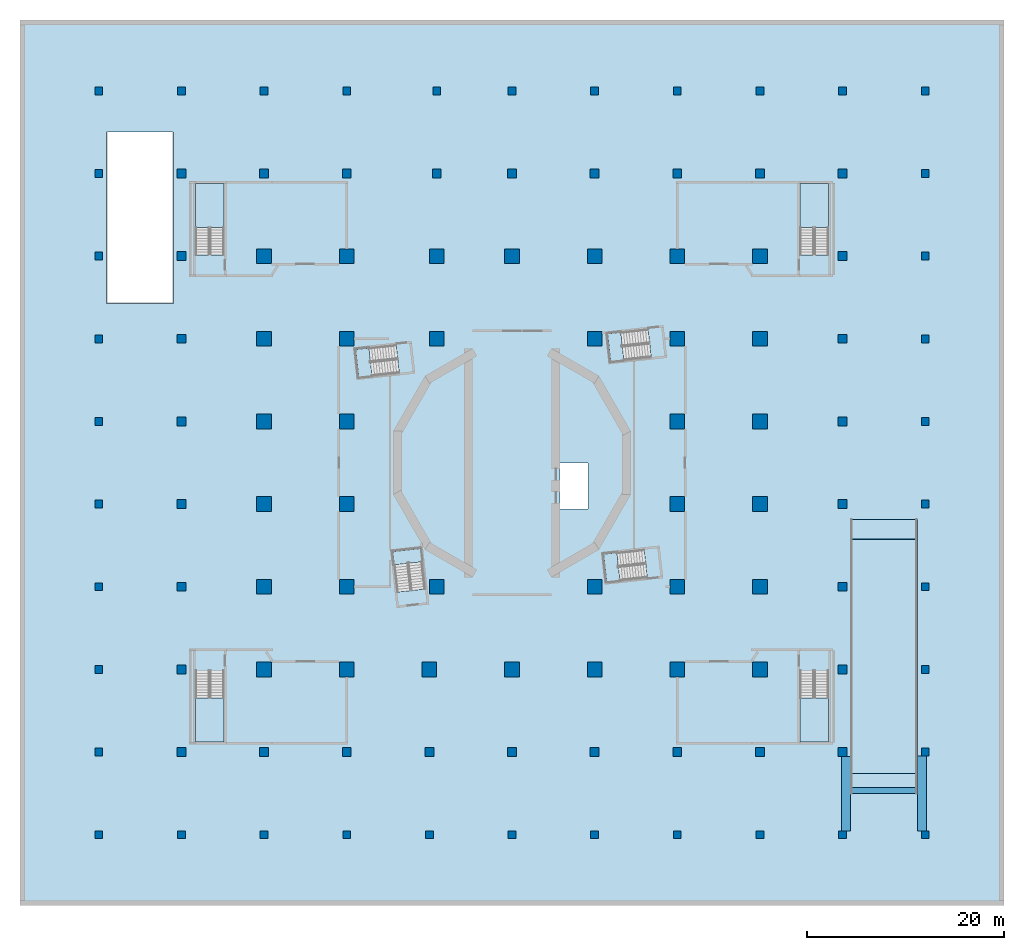
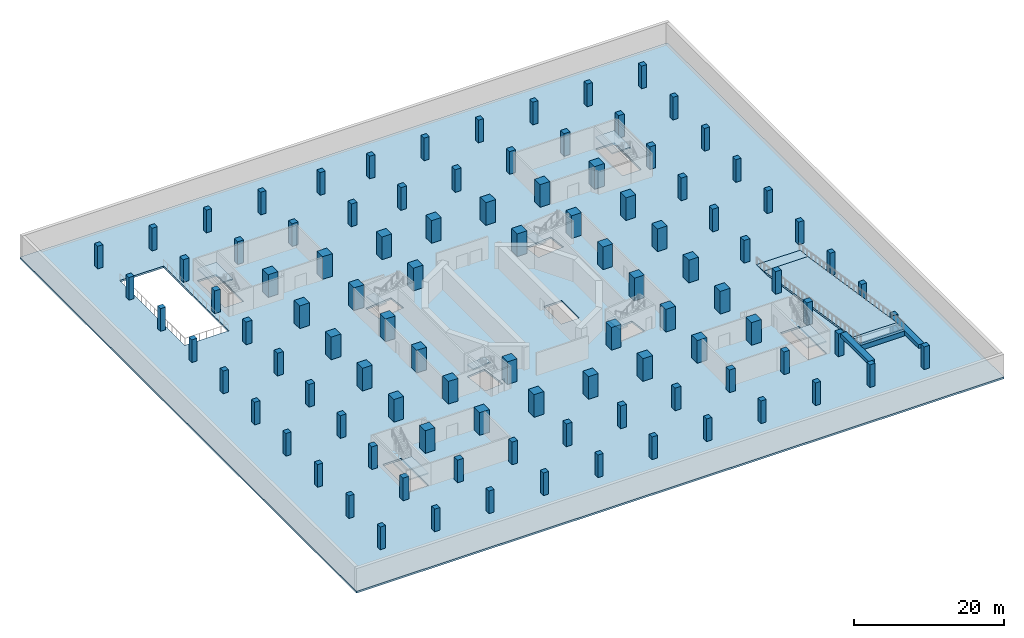
# One storey, part 1 of 18: 102 columns, 12 slabs, 3 beams, 8 elements without a shape of their own.
"""IFC4 building model written with IfcOpenShell, lengths in metres."""

import ifcopenshell
import ifcopenshell.guid

model = None  # the IFC model being written
_history = None  # IfcOwnerHistory: only IFC2X3 demands one
_inside = {}  # id of a spatial element -> (the spatial element, [elements in it])
_under = {}  # id of a project, library or spatial element -> (it, [spatial elements below it])
_declared = {}  # id of a project -> (the project, [libraries it declares])
_typed = {}  # id of a type object -> (the type object, [elements of that type])
_made_of = {}  # id of a material, layer set ... -> (it, [elements and type objects made of it])


def new_model(schema):
    """Start an empty IFC model of exactly this schema.

    Asked for "IFC4X3", IfcOpenShell would pick the latest addendum, in which some entities
    have other attributes; the version numbers below select the first issue.
    IFC2X3 requires an IfcOwnerHistory on every rooted entity: one is made here for all.
    """
    global model, _history
    if schema == "IFC4X3":
        model = ifcopenshell.file(schema_version=(4, 3, 0, 0))
    else:
        model = ifcopenshell.file(schema=schema)
    _inside.clear()
    _under.clear()
    _declared.clear()
    _typed.clear()
    _made_of.clear()
    _history = None
    if model.schema == "IFC2X3":
        org = make("IfcOrganization", Name="unknown")
        user = make(
            "IfcPersonAndOrganization",
            ThePerson=make("IfcPerson", FamilyName="unknown"),
            TheOrganization=org,
        )
        app = make(
            "IfcApplication",
            ApplicationDeveloper=org,
            Version="unknown",
            ApplicationFullName="unknown",
            ApplicationIdentifier="unknown",
        )
        _history = make(
            "IfcOwnerHistory",
            OwningUser=user,
            OwningApplication=app,
            ChangeAction="ADDED",
            CreationDate=0,
        )
    return model


def make(cls, **values):
    """One entity of the class cls with the attributes given. An attribute that is None is left unset."""
    return model.create_entity(
        cls, **{name: value for name, value in values.items() if value is not None}
    )


def rooted(cls, **values):
    """An entity with a GlobalId (a new one), such as an element, a storey or a relation."""
    return make(cls, GlobalId=ifcopenshell.guid.new(), OwnerHistory=_history, **values)


def si_unit(unit_type, name, prefix=None):
    """IfcSIUnit, for example si_unit("LENGTHUNIT", "METRE", prefix="MILLI")."""
    return make("IfcSIUnit", UnitType=unit_type, Prefix=prefix, Name=name)


def assignment(units):
    """IfcUnitAssignment: the units of a project."""
    return None if units is None else make("IfcUnitAssignment", Units=units)


def point(xyz):
    """IfcCartesianPoint."""
    return None if xyz is None else make("IfcCartesianPoint", Coordinates=xyz)


def direction(xyz):
    """IfcDirection."""
    return None if xyz is None else make("IfcDirection", DirectionRatios=xyz)


def frame(location, z_axis=None, x_axis=None):
    """IfcAxis2Placement3D, a coordinate frame: its origin and axes. An axis left out is left unset."""
    return make(
        "IfcAxis2Placement3D",
        Location=point(location),
        Axis=direction(z_axis),
        RefDirection=direction(x_axis),
    )


def frame_2d(location, x_axis=None):
    """IfcAxis2Placement2D, a coordinate frame in the plane: its origin and x axis."""
    return make(
        "IfcAxis2Placement2D", Location=point(location), RefDirection=direction(x_axis)
    )


def origin():
    """The frame at (0, 0, 0) with its axes left unset."""
    return frame((0.0, 0.0, 0.0))


def origin_2d():
    """The frame at (0, 0) in the plane with its x axis left unset."""
    return frame_2d((0.0, 0.0))


def place(relative_to, where):
    """IfcLocalPlacement: puts the frame where relative to a parent placement (None: the world)."""
    return make(
        "IfcLocalPlacement", PlacementRelTo=relative_to, RelativePlacement=where
    )


def context(
    kind, dimensions, precision=None, world=None, true_north=None, identifier=None
):
    """IfcGeometricRepresentationContext, for example the 3D "Model" context."""
    return make(
        "IfcGeometricRepresentationContext",
        ContextIdentifier=identifier,
        ContextType=kind,
        CoordinateSpaceDimension=dimensions,
        Precision=precision,
        WorldCoordinateSystem=world,
        TrueNorth=true_north,
    )


def subcontext(parent, identifier, kind, view, scale=None):
    """IfcGeometricRepresentationSubContext, for example "Body" below "Model"."""
    return make(
        "IfcGeometricRepresentationSubContext",
        ContextIdentifier=identifier,
        ContextType=kind,
        ParentContext=parent,
        TargetScale=scale,
        TargetView=view,
    )


def project(units=None, contexts=None):
    """IfcProject with its units and contexts."""
    return rooted(
        "IfcProject",
        Name="project",
        RepresentationContexts=contexts,
        UnitsInContext=assignment(units),
    )


def spatial(cls, under=None, at=None, **own):
    """A site, building, storey or space (cls), placed at a placement, below another one or the project."""
    s = rooted(cls, ObjectPlacement=at, **own)
    if under is not None:
        _under.setdefault(under.id(), (under, []))[1].append(s)
    return s


def polyline(points):
    """IfcPolyline through the points."""
    return make("IfcPolyline", Points=[point(p) for p in points])


def profile(cls, at=None, kind="AREA", **sizes):
    """A parametric profile (cls). Its sizes go by their IFC names, for example OverallWidth=200.0."""
    return make(cls, ProfileType=kind, Position=at, **sizes)


def rectangle(**sizes):
    """IfcRectangleProfileDef."""
    return profile("IfcRectangleProfileDef", **sizes)


def outline(outer, holes=None, kind="AREA"):
    """IfcArbitraryClosedProfileDef: a profile drawn as a closed curve; with holes, ...WithVoids."""
    if holes is None:
        return make("IfcArbitraryClosedProfileDef", ProfileType=kind, OuterCurve=outer)
    return make(
        "IfcArbitraryProfileDefWithVoids",
        ProfileType=kind,
        OuterCurve=outer,
        InnerCurves=holes,
    )


def extrude(swept, where, along, depth):
    """IfcExtrudedAreaSolid: the profile swept, set in the frame where, extruded along a direction by depth."""
    return make(
        "IfcExtrudedAreaSolid",
        SweptArea=swept,
        Position=where,
        ExtrudedDirection=direction(along),
        Depth=depth,
    )


def clip(a, b, op="DIFFERENCE"):
    """IfcBooleanClippingResult: the solid a cut by the half space b."""
    return make(
        "IfcBooleanClippingResult", Operator=op, FirstOperand=a, SecondOperand=b
    )


def halfspace(plane, agree):
    """IfcHalfSpaceSolid: all space on one side of the plane z = 0 of the frame plane."""
    return make(
        "IfcHalfSpaceSolid",
        BaseSurface=make("IfcPlane", Position=plane),
        AgreementFlag=agree,
    )


def shape(context_of_items, identifier, shape_type, items):
    """IfcShapeRepresentation: the items that make up one representation, for example the "Body"."""
    return make(
        "IfcShapeRepresentation",
        ContextOfItems=context_of_items,
        RepresentationIdentifier=identifier,
        RepresentationType=shape_type,
        Items=items,
    )


def material(Name=None, Category=None):
    """IfcMaterial."""
    return make("IfcMaterial", Name=Name, Category=Category)


def layer(
    of_material, thickness, ventilated=None, Name=None, Category=None, Priority=None
):
    """IfcMaterialLayer: one layer of a wall or slab, of a material (None: an air gap)."""
    return make(
        "IfcMaterialLayer",
        Material=of_material,
        LayerThickness=thickness,
        IsVentilated=ventilated,
        Name=Name,
        Category=Category,
        Priority=Priority,
    )


def layer_set(layers, Name=None):
    """IfcMaterialLayerSet."""
    return make("IfcMaterialLayerSet", MaterialLayers=layers, LayerSetName=Name)


def material_profile(
    of_material, cross_section, Name=None, Category=None, Priority=None
):
    """IfcMaterialProfile: a cross section and its material."""
    return make(
        "IfcMaterialProfile",
        Name=Name,
        Material=of_material,
        Profile=cross_section,
        Priority=Priority,
        Category=Category,
    )


def profile_set(profiles, Name=None, composite=None):
    """IfcMaterialProfileSet."""
    return make(
        "IfcMaterialProfileSet",
        Name=Name,
        MaterialProfiles=profiles,
        CompositeProfile=composite,
    )


def made_of(thing, what):
    """Note that an element or type object is made of a material, layer set ...; save() writes the relation."""
    if what is not None:
        _made_of.setdefault(what.id(), (what, []))[1].append(thing)
    return thing


def type_object(cls, material=None, **own):
    """A type object (cls), such as IfcWallType, which elements share."""
    return made_of(rooted(cls, **own), material)


def element(
    cls,
    number,
    at=None,
    inside=None,
    cuts=None,
    type_object=None,
    material=None,
    context=None,
    identifier="Body",
    shape_type=None,
    held_by="IfcProductDefinitionShape",
    body=None,
    shapes=None,
    **own,
):
    """One element of the class cls, such as IfcWall. Its Tag is "e" and its number.

    at: its placement. inside: the storey or other place that contains it. cuts: it is an
    opening in that element (IfcRelVoidsElement). A single representation is given by context,
    identifier, shape_type and body (its items); several are given by shapes. held_by: the class
    of the entity that holds the representations. save() writes the other relations.
    """
    e = rooted(cls, Tag="e%d" % number, ObjectPlacement=at, **own)
    if body is not None:
        shapes = [shape(context, identifier, shape_type, body)]
    if shapes is not None:
        e.Representation = make(held_by, Representations=shapes)
    if inside is not None:
        _inside.setdefault(inside.id(), (inside, []))[1].append(e)
    if cuts is not None:
        rooted(
            "IfcRelVoidsElement", RelatingBuildingElement=cuts, RelatedOpeningElement=e
        )
    if type_object is not None:
        _typed.setdefault(type_object.id(), (type_object, []))[1].append(e)
    return made_of(e, material)


def aggregate(whole, parts):
    """IfcRelAggregates: a whole, such as a stair, and the parts it consists of."""
    return rooted("IfcRelAggregates", RelatingObject=whole, RelatedObjects=parts)


def save(model, path):
    """Write the relations noted so far, then the file.

    IfcRelAggregates (storeys below a building ...), IfcRelContainedInSpatialStructure (elements
    in a storey), IfcRelDefinesByType, IfcRelAssociatesMaterial and IfcRelDeclares: one each for
    every whole, place, type object, material and project.
    """
    for whole, parts in _under.values():
        aggregate(whole, parts)
    for where, things in _inside.values():
        rooted(
            "IfcRelContainedInSpatialStructure",
            RelatedElements=things,
            RelatingStructure=where,
        )
    for kind, things in _typed.values():
        rooted("IfcRelDefinesByType", RelatedObjects=things, RelatingType=kind)
    for what, things in _made_of.values():
        rooted("IfcRelAssociatesMaterial", RelatedObjects=things, RelatingMaterial=what)
    for by, libraries in _declared.values():
        rooted("IfcRelDeclares", RelatingContext=by, RelatedDefinitions=libraries)
    model.write(path)


model = new_model("IFC4")

# Units and contexts
model_context = context("Model", 3, precision=1e-05, world=origin(), true_north=direction((0.0, 1.0)))
body_context = subcontext(model_context, "Body", "Model", "MODEL_VIEW")
ifc_project = project(units=[si_unit("LENGTHUNIT", "METRE"), si_unit("AREAUNIT", "SQUARE_METRE"), si_unit("VOLUMEUNIT", "CUBIC_METRE"), si_unit("PLANEANGLEUNIT", "RADIAN"), si_unit("MASSUNIT", "GRAM", prefix="KILO")], contexts=[model_context])

# Site, building, storey
site_placement = place(None, origin())
site = spatial("IfcSite", under=ifc_project, at=site_placement, CompositionType="ELEMENT")
building_placement = place(site_placement, origin())
building = spatial("IfcBuilding", under=site, at=building_placement, Name="Cantera Rosa Tower", CompositionType="ELEMENT")
storey_placement = place(building_placement, frame((0.0, 0.0, -9.0)))
storey = spatial("IfcBuildingStorey", under=building, at=storey_placement, Name="B2", CompositionType="ELEMENT", Elevation=-9.0)

# Columns
ifc_material_1 = material(Name="Concrete C60/75", Category="concrete")
ifc_material_profile_1 = material_profile(ifc_material_1, rectangle(XDim=1.5, YDim=1.5, at=origin_2d()), Name="Column 1500x1500")
ifc_profile_set_1 = profile_set([ifc_material_profile_1], Name="Concrete C60/75")
column_type_1 = type_object("IfcColumnType", Name="Column 1500x1500", PredefinedType="COLUMN", material=ifc_profile_set_1)
for number, where, z_axis, x_axis, name in (
    (1, (-25.199951171875, -21.0, 0.0), (0.0, 0.0, 1.0), (1.0, 0.0, 0.0), "Column C-P-2B"),
    (2, (-25.199951171875, -12.60009765625, 0.0), (0.0, 0.0, 1.0), (1.0, 0.0, 0.0), "Column C-P-2C"),
    (3, (-25.199951171875, -4.199951171875, 0.0), (0.0, 0.0, 1.0), (1.0, 0.0, 0.0), "Column C-P-2D"),
    (4, (-25.199951171875, 4.199951171875, 0.0), (0.0, 0.0, 1.0), (1.0, 0.0, 0.0), "Column C-P-2E"),
    (5, (-25.199951171875, 12.60009765625, 0.0), (0.0, 0.0, 1.0), (1.0, 0.0, 0.0), "Column C-P-2F"),
    (6, (-25.199951171875, 21.0, 0.0), (0.0, 0.0, 1.0), (1.0, 0.0, 0.0), "Column C-P-2G"),
    (7, (-16.800048828125, -21.0, 0.0), (0.0, 0.0, 1.0), (1.0, 0.0, 0.0), "Column C-P-3B"),
    (8, (-16.800048828125, -12.60009765625, 0.0), (0.0, 0.0, 1.0), (1.0, 0.0, 0.0), "Column C-P-3C"),
    (9, (-16.800048828125, -4.199951171875, 0.0), (0.0, 0.0, 1.0), (1.0, 0.0, 0.0), "Column C-P-3D"),
    (10, (-16.800048828125, 4.199951171875, 0.0), (0.0, 0.0, 1.0), (1.0, 0.0, 0.0), "Column C-P-3E"),
    (11, (-16.800048828125, 12.60009765625, 0.0), (0.0, 0.0, 1.0), (1.0, 0.0, 0.0), "Column C-P-3F"),
    (12, (-16.800048828125, 21.0, 0.0), (0.0, 0.0, 1.0), (1.0, 0.0, 0.0), "Column C-P-3G"),
    (13, (-8.39990234375, -21.0, 0.0), (0.0, 0.0, 1.0), (1.0, 0.0, 0.0), "Column C-P-4B"),
    (14, (-7.64990234375, -12.60009765625, 0.0), (0.0, 0.0, 1.0), (1.0, 0.0, 0.0), "Column C-P-4C"),
    (15, (-7.64990234375, 12.60009765625, 0.0), (0.0, 0.0, 1.0), (1.0, 0.0, 0.0), "Column C-B-4N2"),
    (16, (-7.64990234375, 21.0, 0.0), (0.0, 0.0, 1.0), (1.0, 0.0, 0.0), "Column C-B-4N3"),
    (17, (0.0, -21.0, 0.0), (0.0, 0.0, 1.0), (1.0, 0.0, 0.0), "Column C-P-5B"),
    (18, (0.0, 21.0, 0.0), (0.0, 0.0, 1.0), (1.0, 0.0, 0.0), "Column C-P-5G"),
    (19, (8.39990234375, -21.0, 0.0), (0.0, 0.0, 1.0), (1.0, 0.0, 0.0), "Column C-P-6B"),
    (20, (8.39990234375, -12.60009765625, 0.0), (0.0, 0.0, 1.0), (1.0, 0.0, 0.0), "Column C-P-6C"),
    (21, (8.39990234375, 12.60009765625, 0.0), (0.0, 0.0, 1.0), (1.0, 0.0, 0.0), "Column C-P-6F"),
    (22, (8.39990234375, 21.0, 0.0), (0.0, 0.0, 1.0), (1.0, 0.0, 0.0), "Column C-P-6G"),
    (23, (16.800048828125, -21.0, 0.0), (0.0, 0.0, 1.0), (1.0, 0.0, 0.0), "Column C-P-7B"),
    (24, (16.800048828125, -12.60009765625, 0.0), (0.0, 0.0, 1.0), (1.0, 0.0, 0.0), "Column C-P-7C"),
    (25, (16.800048828125, -4.199951171875, 0.0), (0.0, 0.0, 1.0), (1.0, 0.0, 0.0), "Column C-P-7D"),
    (26, (16.800048828125, 4.199951171875, 0.0), (0.0, 0.0, 1.0), (1.0, 0.0, 0.0), "Column C-P-7E"),
    (27, (16.800048828125, 12.60009765625, 0.0), (0.0, 0.0, 1.0), (1.0, 0.0, 0.0), "Column C-P-7F"),
    (28, (16.800048828125, 21.0, 0.0), (0.0, 0.0, 1.0), (1.0, 0.0, 0.0), "Column C-P-7G"),
    (29, (25.199951171875, -21.0, 0.0), (0.0, 0.0, 1.0), (1.0, 0.0, 0.0), "Column C-P-8B"),
    (30, (25.199951171875, -12.60009765625, 0.0), (0.0, 0.0, 1.0), (1.0, 0.0, 0.0), "Column C-P-8C"),
    (31, (25.199951171875, -4.199951171875, 0.0), (0.0, 0.0, 1.0), (1.0, 0.0, 0.0), "Column C-P-8D"),
    (32, (25.199951171875, 4.199951171875, 0.0), (0.0, 0.0, 1.0), (1.0, 0.0, 0.0), "Column C-P-8E"),
    (33, (25.199951171875, 12.60009765625, 0.0), (0.0, 0.0, 1.0), (1.0, 0.0, 0.0), "Column C-P-8F"),
    (34, (25.199951171875, 21.0, 0.0), (0.0, 0.0, 1.0), (1.0, 0.0, 0.0), "Column C-P-8G"),
):
    element("IfcColumn", number, at=place(storey_placement, frame(where, z_axis=z_axis, x_axis=x_axis)), inside=storey, type_object=column_type_1, Name=name, PredefinedType="COLUMN", context=body_context, shape_type="SweptSolid", body=[
        extrude(rectangle(XDim=1.5, YDim=1.5, at=origin_2d()), origin(), (0.0, 0.0, 1.0), 3.699951171875),
    ])
ifc_material_2 = material(Name="Concrete C60/75", Category="concrete")
ifc_material_profile_2 = material_profile(ifc_material_2, rectangle(XDim=0.800048828125, YDim=0.800048828125, at=origin_2d()), Name="Column 800x800")
ifc_profile_set_2 = profile_set([ifc_material_profile_2], Name="Concrete C60/75")
column_type_2 = type_object("IfcColumnType", Name="Column 800x800", PredefinedType="COLUMN", material=ifc_profile_set_2)
for number, where, z_axis, x_axis, name in (
    (35, (-42.0, -37.800048828125, 0.0), (0.0, 0.0, 1.0), (1.0, 0.0, 0.0), "Column C-B-0S5"),
    (36, (-42.0, -29.39990234375, 0.0), (0.0, 0.0, 1.0), (1.0, 0.0, 0.0), "Column C-B-0S4"),
    (37, (-42.0, -21.0, 0.0), (0.0, 0.0, 1.0), (1.0, 0.0, 0.0), "Column C-B-0S3"),
    (38, (-42.0, -12.60009765625, 0.0), (0.0, 0.0, 1.0), (1.0, 0.0, 0.0), "Column C-B-0S2"),
    (39, (-42.0, -4.199951171875, 0.0), (0.0, 0.0, 1.0), (1.0, 0.0, 0.0), "Column C-B-0S1"),
    (40, (-42.0, 4.199951171875, 0.0), (0.0, 0.0, 1.0), (1.0, 0.0, 0.0), "Column C-B-0N1"),
    (41, (-42.0, 12.60009765625, 0.0), (0.0, 0.0, 1.0), (1.0, 0.0, 0.0), "Column C-B-0N2"),
    (42, (-42.0, 21.0, 0.0), (0.0, 0.0, 1.0), (1.0, 0.0, 0.0), "Column C-B-0N3"),
    (43, (-42.0, 29.39990234375, 0.0), (0.0, 0.0, 1.0), (1.0, 0.0, 0.0), "Column C-B-0N4"),
    (44, (-42.0, 37.800048828125, 0.0), (0.0, 0.0, 1.0), (1.0, 0.0, 0.0), "Column C-B-0N5"),
    (45, (-33.60009765625, -37.800048828125, 0.0), (0.0, 0.0, 1.0), (1.0, 0.0, 0.0), "Column C-B-1S5"),
    (46, (-33.60009765625, 37.800048828125, 0.0), (0.0, 0.0, 1.0), (1.0, 0.0, 0.0), "Column C-B-1N5"),
    (47, (-25.199951171875, -37.800048828125, 0.0), (0.0, 0.0, 1.0), (1.0, 0.0, 0.0), "Column C-B-2S5"),
    (48, (-25.199951171875, 37.800048828125, 0.0), (0.0, 0.0, 1.0), (1.0, 0.0, 0.0), "Column C-B-2N5"),
    (49, (-16.800048828125, -37.800048828125, 0.0), (0.0, 0.0, 1.0), (1.0, 0.0, 0.0), "Column C-B-3S5"),
    (50, (-16.800048828125, 37.800048828125, 0.0), (0.0, 0.0, 1.0), (1.0, 0.0, 0.0), "Column C-B-3N5"),
    (51, (-8.39990234375, -37.800048828125, 0.0), (0.0, 0.0, 1.0), (1.0, 0.0, 0.0), "Column C-B-4S5"),
    (52, (-7.64990234375, 37.800048828125, 0.0), (0.0, 0.0, 1.0), (1.0, 0.0, 0.0), "Column C-B-4N5"),
    (53, (0.0, -37.800048828125, 0.0), (0.0, 0.0, 1.0), (1.0, 0.0, 0.0), "Column C-B-5S5"),
    (54, (0.0, 37.800048828125, 0.0), (0.0, 0.0, 1.0), (1.0, 0.0, 0.0), "Column C-B-5N5"),
    (55, (8.39990234375, -37.800048828125, 0.0), (0.0, 0.0, 1.0), (1.0, 0.0, 0.0), "Column C-B-6S5"),
    (56, (8.39990234375, 37.800048828125, 0.0), (0.0, 0.0, 1.0), (1.0, 0.0, 0.0), "Column C-B-6N5"),
    (57, (16.800048828125, -37.800048828125, 0.0), (0.0, 0.0, 1.0), (1.0, 0.0, 0.0), "Column C-B-7S5"),
    (58, (16.800048828125, 37.800048828125, 0.0), (0.0, 0.0, 1.0), (1.0, 0.0, 0.0), "Column C-B-7N5"),
    (59, (25.199951171875, -37.800048828125, 0.0), (0.0, 0.0, 1.0), (1.0, 0.0, 0.0), "Column C-B-8S5"),
    (60, (25.199951171875, 37.800048828125, 0.0), (0.0, 0.0, 1.0), (1.0, 0.0, 0.0), "Column C-B-8N5"),
    (61, (33.60009765625, -37.800048828125, 0.0), (0.0, 0.0, 1.0), (1.0, 0.0, 0.0), "Column C-B-9S5"),
    (62, (33.60009765625, 37.800048828125, 0.0), (0.0, 0.0, 1.0), (1.0, 0.0, 0.0), "Column C-B-9N5"),
    (63, (42.0, -37.800048828125, 0.0), (0.0, 0.0, 1.0), (1.0, 0.0, 0.0), "Column C-B-10S5"),
    (64, (42.0, -29.39990234375, 0.0), (0.0, 0.0, 1.0), (1.0, 0.0, 0.0), "Column C-B-10S4"),
    (65, (42.0, -21.0, 0.0), (0.0, 0.0, 1.0), (1.0, 0.0, 0.0), "Column C-B-10S3"),
    (66, (42.0, -12.60009765625, 0.0), (0.0, 0.0, 1.0), (1.0, 0.0, 0.0), "Column C-B-10S2"),
    (67, (42.0, -4.199951171875, 0.0), (0.0, 0.0, 1.0), (1.0, 0.0, 0.0), "Column C-B-10S1"),
    (68, (42.0, 4.199951171875, 0.0), (0.0, 0.0, 1.0), (1.0, 0.0, 0.0), "Column C-B-10N1"),
    (69, (42.0, 12.60009765625, 0.0), (0.0, 0.0, 1.0), (1.0, 0.0, 0.0), "Column C-B-10N2"),
    (70, (42.0, 21.0, 0.0), (0.0, 0.0, 1.0), (1.0, 0.0, 0.0), "Column C-B-10N3"),
    (71, (42.0, 29.39990234375, 0.0), (0.0, 0.0, 1.0), (1.0, 0.0, 0.0), "Column C-B-10N4"),
    (72, (42.0, 37.800048828125, 0.0), (0.0, 0.0, 1.0), (1.0, 0.0, 0.0), "Column C-B-10N5"),
):
    element("IfcColumn", number, at=place(storey_placement, frame(where, z_axis=z_axis, x_axis=x_axis)), inside=storey, type_object=column_type_2, Name=name, PredefinedType="COLUMN", context=body_context, shape_type="SweptSolid", body=[
        extrude(rectangle(XDim=0.800048828125, YDim=0.800048828125, at=origin_2d()), origin(), (0.0, 0.0, 1.0), 3.699951171875),
    ])
ifc_material_3 = material(Name="Concrete C60/75", Category="concrete")
ifc_material_profile_3 = material_profile(ifc_material_3, rectangle(XDim=0.89990234375, YDim=0.89990234375, at=origin_2d()), Name="Column 900x900")
ifc_profile_set_3 = profile_set([ifc_material_profile_3], Name="Concrete C60/75")
column_type_3 = type_object("IfcColumnType", Name="Column 900x900", PredefinedType="COLUMN", material=ifc_profile_set_3)
for number, where, z_axis, x_axis, name in (
    (73, (-33.60009765625, -29.39990234375, 0.0), (0.0, 0.0, 1.0), (1.0, 0.0, 0.0), "Column C-P-1A"),
    (74, (-33.60009765625, -21.0, 0.0), (0.0, 0.0, 1.0), (1.0, 0.0, 0.0), "Column C-P-1B"),
    (75, (-33.60009765625, -12.60009765625, 0.0), (0.0, 0.0, 1.0), (1.0, 0.0, 0.0), "Column C-P-1C"),
    (76, (-33.60009765625, -4.199951171875, 0.0), (0.0, 0.0, 1.0), (1.0, 0.0, 0.0), "Column C-P-1D"),
    (77, (-33.60009765625, 4.199951171875, 0.0), (0.0, 0.0, 1.0), (1.0, 0.0, 0.0), "Column C-P-1E"),
    (78, (-33.60009765625, 12.60009765625, 0.0), (0.0, 0.0, 1.0), (1.0, 0.0, 0.0), "Column C-P-1F"),
    (79, (-33.60009765625, 21.0, 0.0), (0.0, 0.0, 1.0), (1.0, 0.0, 0.0), "Column C-P-1G"),
    (80, (-33.60009765625, 29.39990234375, 0.0), (0.0, 0.0, 1.0), (1.0, 0.0, 0.0), "Column C-P-1H"),
    (81, (-25.199951171875, -29.39990234375, 0.0), (0.0, 0.0, 1.0), (1.0, 0.0, 0.0), "Column C-P-2A"),
    (82, (-25.199951171875, 29.39990234375, 0.0), (0.0, 0.0, 1.0), (1.0, 0.0, 0.0), "Column C-P-2H"),
    (83, (-16.800048828125, -29.39990234375, 0.0), (0.0, 0.0, 1.0), (1.0, 0.0, 0.0), "Column C-P-3A"),
    (84, (-16.800048828125, 29.39990234375, 0.0), (0.0, 0.0, 1.0), (1.0, 0.0, 0.0), "Column C-P-3H"),
    (85, (-8.39990234375, -29.39990234375, 0.0), (0.0, 0.0, 1.0), (1.0, 0.0, 0.0), "Column C-P-4A"),
    (86, (-7.64990234375, 29.39990234375, 0.0), (0.0, 0.0, 1.0), (1.0, 0.0, 0.0), "Column C-B-4N4"),
    (87, (0.0, -29.39990234375, 0.0), (0.0, 0.0, 1.0), (1.0, 0.0, 0.0), "Column C-P-5A"),
    (88, (0.0, 29.39990234375, 0.0), (0.0, 0.0, 1.0), (1.0, 0.0, 0.0), "Column C-P-5H"),
    (89, (8.39990234375, -29.39990234375, 0.0), (0.0, 0.0, 1.0), (1.0, 0.0, 0.0), "Column C-P-6A"),
    (90, (8.39990234375, 29.39990234375, 0.0), (0.0, 0.0, 1.0), (1.0, 0.0, 0.0), "Column C-P-6H"),
    (91, (16.800048828125, -29.39990234375, 0.0), (0.0, 0.0, 1.0), (1.0, 0.0, 0.0), "Column C-P-7A"),
    (92, (16.800048828125, 29.39990234375, 0.0), (0.0, 0.0, 1.0), (1.0, 0.0, 0.0), "Column C-P-7H"),
    (93, (25.199951171875, -29.39990234375, 0.0), (0.0, 0.0, 1.0), (1.0, 0.0, 0.0), "Column C-P-8A"),
    (94, (25.199951171875, 29.39990234375, 0.0), (0.0, 0.0, 1.0), (1.0, 0.0, 0.0), "Column C-P-8H"),
    (95, (33.60009765625, -29.39990234375, 0.0), (0.0, 0.0, 1.0), (1.0, 0.0, 0.0), "Column C-P-9A"),
    (96, (33.60009765625, -21.0, 0.0), (0.0, 0.0, 1.0), (1.0, 0.0, 0.0), "Column C-P-9B"),
    (97, (33.60009765625, -12.60009765625, 0.0), (0.0, 0.0, 1.0), (1.0, 0.0, 0.0), "Column C-P-9C"),
    (98, (33.60009765625, -4.199951171875, 0.0), (0.0, 0.0, 1.0), (1.0, 0.0, 0.0), "Column C-P-9D"),
    (99, (33.60009765625, 4.199951171875, 0.0), (0.0, 0.0, 1.0), (1.0, 0.0, 0.0), "Column C-P-9E"),
    (100, (33.60009765625, 12.60009765625, 0.0), (0.0, 0.0, 1.0), (1.0, 0.0, 0.0), "Column C-P-9F"),
    (101, (33.60009765625, 21.0, 0.0), (0.0, 0.0, 1.0), (1.0, 0.0, 0.0), "Column C-P-9G"),
    (102, (33.60009765625, 29.39990234375, 0.0), (0.0, 0.0, 1.0), (1.0, 0.0, 0.0), "Column C-P-9H"),
):
    element("IfcColumn", number, at=place(storey_placement, frame(where, z_axis=z_axis, x_axis=x_axis)), inside=storey, type_object=column_type_3, Name=name, PredefinedType="COLUMN", context=body_context, shape_type="SweptSolid", body=[
        extrude(rectangle(XDim=0.89990234375, YDim=0.89990234375, at=origin_2d()), origin(), (0.0, 0.0, 1.0), 3.699951171875),
    ])

# Beams
ifc_material_4 = material(Name="Concrete C35/45", Category="concrete")
ifc_material_profile_4 = material_profile(ifc_material_4, rectangle(XDim=0.60009765625, YDim=0.800048828125, at=origin_2d()), Name="RC cross beam 600x800")
ifc_profile_set_4 = profile_set([ifc_material_profile_4], Name="Concrete C35/45")
beam_type_1 = type_object("IfcBeamType", Name="RC cross beam 600x800", PredefinedType="BEAM", material=ifc_profile_set_4)
beam_1_placement = place(storey_placement, frame((34.39990234375, -33.300048828125, 3.248779296875), z_axis=(1.0, 0.0, 0.0), x_axis=(0.0, 1.0, 0.0)))
element("IfcBeam", 103, at=beam_1_placement, inside=storey, type_object=beam_type_1, Name="Ramp cross beam RX2", PredefinedType="BEAM", context=body_context, shape_type="SweptSolid", body=[
    extrude(rectangle(XDim=0.60009765625, YDim=0.800048828125, at=origin_2d()), origin(), (0.0, 0.0, 1.0), 6.800048828125),
])
ifc_material_5 = material(Name="Concrete C35/45", Category="concrete")
ifc_material_profile_5 = material_profile(ifc_material_5, rectangle(XDim=0.89990234375, YDim=0.60009765625, at=origin_2d()), Name="RC edge beam 900x600")
ifc_profile_set_5 = profile_set([ifc_material_profile_5], Name="Concrete C35/45")
beam_type_2 = type_object("IfcBeamType", Name="RC edge beam 900x600", PredefinedType="BEAM", material=ifc_profile_set_5)
beam_2_placement = place(storey_placement, frame((33.949951171875, -37.39990234375, 3.39990234375), z_axis=(0.0, 1.0, 0.0), x_axis=(-1.0, 0.0, 0.0)))
element("IfcBeam", 104, at=beam_2_placement, inside=storey, type_object=beam_type_2, Name="Ramp edge beam RE2-W", PredefinedType="BEAM", context=body_context, shape_type="SweptSolid", body=[
    extrude(rectangle(XDim=0.89990234375, YDim=0.60009765625, at=origin_2d()), origin(), (0.0, 0.0, 1.0), 7.5498046875),
])
beam_3_placement = place(storey_placement, frame((41.64990234375, -37.39990234375, 3.39990234375), z_axis=(0.0, 1.0, 0.0), x_axis=(-1.0, 0.0, 0.0)))
element("IfcBeam", 105, at=beam_3_placement, inside=storey, type_object=beam_type_2, Name="Ramp edge beam RE2-E", PredefinedType="BEAM", context=body_context, shape_type="SweptSolid", body=[
    extrude(rectangle(XDim=0.89990234375, YDim=0.60009765625, at=origin_2d()), origin(), (0.0, 0.0, 1.0), 7.599853515625),
])

# Slabs
ifc_material_6 = material(Name="Concrete C35/45", Category="concrete")
ifc_layer_1 = layer(ifc_material_6, 0.300048828125)
ifc_layer_set_1 = layer_set([ifc_layer_1], Name="Flat slab 300")
slab_type_1 = type_object("IfcSlabType", Name="Flat slab 300", PredefinedType="FLOOR", material=ifc_layer_set_1)
slab_1_placement = place(storey_placement, frame((0.0, 0.0, -0.300048828125)))
element("IfcSlab", 106, at=slab_1_placement, inside=storey, type_object=slab_type_1, Name="Floor slab B2", PredefinedType="FLOOR", context=body_context, shape_type="SweptSolid", body=[
    extrude(outline(polyline([(-50.0, -45.0), (50.0, -45.0), (50.0, 45.0), (-50.0, 45.0), (-50.0, -45.0)]), holes=[polyline([(29.27490234375, -28.375), (32.175048828125, -28.375), (32.175048828125, -21.136962890625), (29.27490234375, -21.136962890625), (29.27490234375, -28.375)]), polyline([(32.175048828125, 28.375), (29.27490234375, 28.375), (29.27490234375, 21.136962890625), (32.175048828125, 21.136962890625), (32.175048828125, 28.375)]), polyline([(9.709716796875, 13.11279296875), (10.02392578125, 10.2802734375), (14.13671875, 10.73681640625), (13.822265625, 13.5693359375), (9.709716796875, 13.11279296875)]), polyline([(9.3095703125, -9.287109375), (9.6240234375, -12.11962890625), (13.73681640625, -11.6630859375), (13.42236328125, -8.83056640625), (9.3095703125, -9.287109375)]), polyline([(4.89990234375, -4.699951171875), (7.699951171875, -4.699951171875), (7.699951171875, 0.0), (4.89990234375, 0.0), (4.89990234375, -4.699951171875)]), polyline([(-12.11962890625, -9.02392578125), (-11.6630859375, -13.13671875), (-8.83056640625, -12.822265625), (-9.287109375, -8.709716796875), (-12.11962890625, -9.02392578125)]), polyline([(-15.890380859375, 11.512939453125), (-15.575927734375, 8.680419921875), (-11.46337890625, 9.13671875), (-11.777587890625, 11.969482421875), (-15.890380859375, 11.512939453125)]), polyline([(-29.27490234375, -28.375), (-29.27490234375, -21.136962890625), (-32.175048828125, -21.136962890625), (-32.175048828125, -28.375), (-29.27490234375, -28.375)]), polyline([(-29.27490234375, 28.375), (-32.175048828125, 28.375), (-32.175048828125, 21.136962890625), (-29.27490234375, 21.136962890625), (-29.27490234375, 28.375)]), polyline([(-41.199951171875, 33.60009765625), (-41.199951171875, 16.166748046875), (-34.39990234375, 16.166748046875), (-34.39990234375, 33.60009765625), (-41.199951171875, 33.60009765625)])]), origin(), (0.0, 0.0, 1.0), 0.300048828125),
])
ifc_material_7 = material(Name="Concrete C35/45", Category="concrete")
ifc_layer_2 = layer(ifc_material_7, 0.300048828125)
ifc_layer_set_2 = layer_set([ifc_layer_2], Name="RC ramp slab 300 C35/45")
slab_type_2 = type_object("IfcSlabType", Name="RC ramp slab 300", PredefinedType="FLOOR", material=ifc_layer_set_2)
slab_2_placement = place(storey_placement, frame((34.39990234375, -5.7666015625, 0.0), z_axis=(0.0, 0.083085749549, 0.996542401618), x_axis=(1.0, 0.0, 0.0)))
element("IfcSlab", 107, at=slab_2_placement, inside=storey, type_object=slab_type_2, Name="Vehicle ramp RP2 slab 1", PredefinedType="FLOOR", context=body_context, shape_type="Clipping", body=[
    clip(extrude(outline(polyline([(0.0, 0.0), (6.800048828125, 0.0), (6.800048828125, -2.0069391896957485), (0.0, -2.0069391896957485), (0.0, 0.0)])), origin(), (0.0, 0.0, -1.0), 0.300048828125), halfspace(frame((0.0, 0.0, 0.0), z_axis=(0.0, -0.083085749549, 0.996542401618), x_axis=(1.0, 0.0, 0.0)), True)),
])
slab_3_placement = place(storey_placement, frame((34.39990234375, -7.7666015625, 0.166748046875), z_axis=(0.0, 0.152049576252, 0.988372868082), x_axis=(1.0, 0.0, 0.0)))
element("IfcSlab", 108, at=slab_3_placement, inside=storey, type_object=slab_type_2, Name="Vehicle ramp RP2 slab 2", PredefinedType="FLOOR", context=body_context, shape_type="Clipping", body=[
    clip(extrude(outline(polyline([(0.0, 0.0), (6.800048828125, 0.0), (6.800048828125, -24.113871255883883), (0.0, -24.113871255883883), (0.0, 0.0)])), origin(), (0.0, 0.0, -1.0), 0.300048828125), halfspace(frame((0.0, 0.025390625, -0.164794921875), z_axis=(0.0, -0.152049576252, 0.988372868082), x_axis=(1.0, 0.0, 0.0)), True)),
])
slab_4_placement = place(storey_placement, frame((34.39990234375, -31.60009765625, 3.833251953125), z_axis=(0.0, 0.083085749549, 0.996542401618), x_axis=(1.0, 0.0, 0.0)))
element("IfcSlab", 109, at=slab_4_placement, inside=storey, type_object=slab_type_2, Name="Vehicle ramp RP2 slab 3", PredefinedType="FLOOR", context=body_context, shape_type="Clipping", body=[
    clip(extrude(outline(polyline([(0.0, 0.0), (6.800048828125, 0.0), (6.800048828125, -2.0069391896957485), (0.0, -2.0069391896957485), (0.0, 0.0)])), origin(), (0.0, 0.0, -1.0), 0.300048828125), halfspace(frame((0.0, 0.318603515625, -3.820068359375), z_axis=(0.0, -0.083085749549, 0.996542401618), x_axis=(1.0, 0.0, 0.0)), True)),
])

# Stair, slab
ifc_material_8 = material(Name="Concrete C35/45", Category="concrete")
stair_type_1 = type_object("IfcStairType", Name="EXIT STAIR 1350 DOGLEG", PredefinedType="HALF_TURN_STAIR", material=ifc_material_8)
stair_1_placement = place(storey_placement, origin())
stair_1 = element("IfcStair", 110, at=stair_1_placement, inside=storey, type_object=stair_type_1, Name="B2 ST-11", PredefinedType="HALF_TURN_STAIR")
ifc_material_9 = material(Name="Concrete C35/45", Category="concrete")
ifc_layer_3 = layer(ifc_material_9, 0.199951171875)
ifc_layer_set_3 = layer_set([ifc_layer_3], Name="STAIR LANDING 200")
slab_type_3 = type_object("IfcSlabType", Name="STAIR LANDING 200", PredefinedType="LANDING", material=ifc_layer_set_3)
slab_5_placement = place(storey_placement, frame((0.0, 0.0, 1.800048828125)))
slab_5 = element("IfcSlab", 111, at=slab_5_placement, type_object=slab_type_3, Name="ST-11 landing 1", PredefinedType="LANDING", context=body_context, shape_type="SweptSolid", body=[
    extrude(outline(polyline([(11.063232421875, 13.26318359375), (9.70947265625, 13.113037109375), (10.02392578125, 10.2802734375), (11.377685546875, 10.4306640625), (11.063232421875, 13.26318359375)])), origin(), (0.0, 0.0, 1.0), 0.199951171875),
])
aggregate(stair_1, [slab_5])

stair_2_placement = place(storey_placement, origin())
stair_2 = element("IfcStair", 112, at=stair_2_placement, inside=storey, type_object=stair_type_1, Name="B2 ST-12", PredefinedType="HALF_TURN_STAIR")
slab_6_placement = place(storey_placement, frame((0.0, 0.0, 1.800048828125)))
slab_6 = element("IfcSlab", 113, at=slab_6_placement, type_object=slab_type_3, Name="ST-12 landing 1", PredefinedType="LANDING", context=body_context, shape_type="SweptSolid", body=[
    extrude(outline(polyline([(-14.53662109375, 11.6630859375), (-15.890380859375, 11.512939453125), (-15.575927734375, 8.680419921875), (-14.222412109375, 8.83056640625), (-14.53662109375, 11.6630859375)])), origin(), (0.0, 0.0, 1.0), 0.199951171875),
])
aggregate(stair_2, [slab_6])

stair_3_placement = place(storey_placement, origin())
stair_3 = element("IfcStair", 114, at=stair_3_placement, inside=storey, type_object=stair_type_1, Name="B2 ST-13", PredefinedType="HALF_TURN_STAIR")
slab_7_placement = place(storey_placement, frame((0.0, 0.0, 1.800048828125)))
slab_7 = element("IfcSlab", 115, at=slab_7_placement, type_object=slab_type_3, Name="ST-13 landing 1", PredefinedType="LANDING", context=body_context, shape_type="SweptSolid", body=[
    extrude(outline(polyline([(-9.13671875, -10.063232421875), (-9.287109375, -8.70947265625), (-12.11962890625, -9.02392578125), (-11.969482421875, -10.377685546875), (-9.13671875, -10.063232421875)])), origin(), (0.0, 0.0, 1.0), 0.199951171875),
])
aggregate(stair_3, [slab_7])

stair_4_placement = place(storey_placement, origin())
stair_4 = element("IfcStair", 116, at=stair_4_placement, inside=storey, type_object=stair_type_1, Name="B2 ST-14", PredefinedType="HALF_TURN_STAIR")
slab_8_placement = place(storey_placement, frame((0.0, 0.0, 1.800048828125)))
slab_8 = element("IfcSlab", 117, at=slab_8_placement, type_object=slab_type_3, Name="ST-14 landing 1", PredefinedType="LANDING", context=body_context, shape_type="SweptSolid", body=[
    extrude(outline(polyline([(10.663330078125, -9.13671875), (9.3095703125, -9.287109375), (9.6240234375, -12.11962890625), (10.977783203125, -11.969482421875), (10.663330078125, -9.13671875)])), origin(), (0.0, 0.0, 1.0), 0.199951171875),
])
aggregate(stair_4, [slab_8])

ifc_material_10 = material(Name="Concrete C35/45", Category="concrete")
stair_type_2 = type_object("IfcStairType", Name="Stair half-turn 1350", PredefinedType="HALF_TURN_STAIR", material=ifc_material_10)
stair_5_placement = place(storey_placement, origin())
stair_5 = element("IfcStair", 118, at=stair_5_placement, inside=storey, type_object=stair_type_2, Name="B2 ST-NE", PredefinedType="HALF_TURN_STAIR")
ifc_material_11 = material(Name="Concrete C35/45", Category="concrete")
ifc_layer_4 = layer(ifc_material_11, 0.199951171875)
ifc_layer_set_4 = layer_set([ifc_layer_4], Name="Stair landing 200")
slab_type_4 = type_object("IfcSlabType", Name="Stair landing 200", PredefinedType="LANDING", material=ifc_layer_set_4)
slab_9_placement = place(storey_placement, frame((0.0, 0.0, 1.800048828125)))
slab_9 = element("IfcSlab", 119, at=slab_9_placement, type_object=slab_type_4, Name="ST-NE landing 1", PredefinedType="LANDING", context=body_context, shape_type="SweptSolid", body=[
    extrude(outline(polyline([(32.175048828125, 23.9130859375), (32.175048828125, 28.375), (29.27490234375, 28.375), (29.27490234375, 23.9130859375), (32.175048828125, 23.9130859375)])), origin(), (0.0, 0.0, 1.0), 0.199951171875),
])
aggregate(stair_5, [slab_9])

stair_6_placement = place(storey_placement, origin())
stair_6 = element("IfcStair", 120, at=stair_6_placement, inside=storey, type_object=stair_type_2, Name="B2 ST-NW", PredefinedType="HALF_TURN_STAIR")
slab_10_placement = place(storey_placement, frame((0.0, 0.0, 1.800048828125)))
slab_10 = element("IfcSlab", 121, at=slab_10_placement, type_object=slab_type_4, Name="ST-NW landing 1", PredefinedType="LANDING", context=body_context, shape_type="SweptSolid", body=[
    extrude(outline(polyline([(-29.27490234375, 23.9130859375), (-29.27490234375, 28.375), (-32.175048828125, 28.375), (-32.175048828125, 23.9130859375), (-29.27490234375, 23.9130859375)])), origin(), (0.0, 0.0, 1.0), 0.199951171875),
])
aggregate(stair_6, [slab_10])

stair_7_placement = place(storey_placement, origin())
stair_7 = element("IfcStair", 122, at=stair_7_placement, inside=storey, type_object=stair_type_2, Name="B2 ST-SE", PredefinedType="HALF_TURN_STAIR")
slab_11_placement = place(storey_placement, frame((0.0, 0.0, 1.800048828125)))
slab_11 = element("IfcSlab", 123, at=slab_11_placement, type_object=slab_type_4, Name="ST-SE landing 1", PredefinedType="LANDING", context=body_context, shape_type="SweptSolid", body=[
    extrude(outline(polyline([(29.27490234375, -23.9130859375), (29.27490234375, -28.375), (32.175048828125, -28.375), (32.175048828125, -23.9130859375), (29.27490234375, -23.9130859375)])), origin(), (0.0, 0.0, 1.0), 0.199951171875),
])
aggregate(stair_7, [slab_11])

stair_8_placement = place(storey_placement, origin())
stair_8 = element("IfcStair", 124, at=stair_8_placement, inside=storey, type_object=stair_type_2, Name="B2 ST-SW", PredefinedType="HALF_TURN_STAIR")
slab_12_placement = place(storey_placement, frame((0.0, 0.0, 1.800048828125)))
slab_12 = element("IfcSlab", 125, at=slab_12_placement, type_object=slab_type_4, Name="ST-SW landing 1", PredefinedType="LANDING", context=body_context, shape_type="SweptSolid", body=[
    extrude(outline(polyline([(-32.175048828125, -23.9130859375), (-32.175048828125, -28.375), (-29.27490234375, -28.375), (-29.27490234375, -23.9130859375), (-32.175048828125, -23.9130859375)])), origin(), (0.0, 0.0, 1.0), 0.199951171875),
])
aggregate(stair_8, [slab_12])

save(model, "model.ifc")
